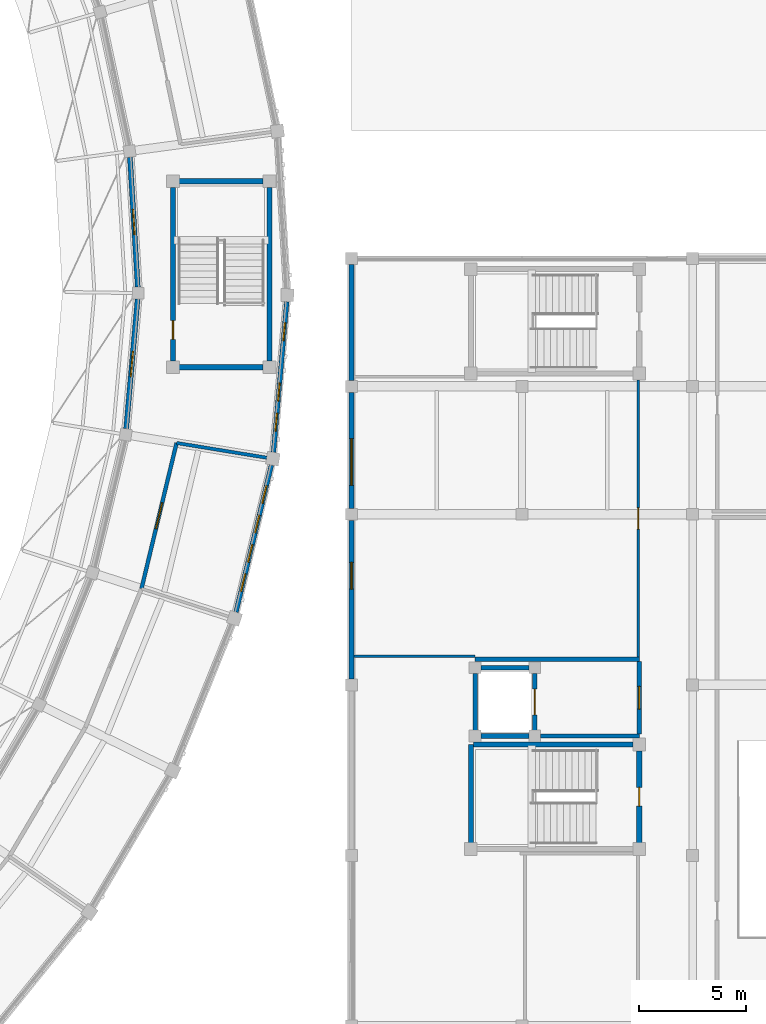
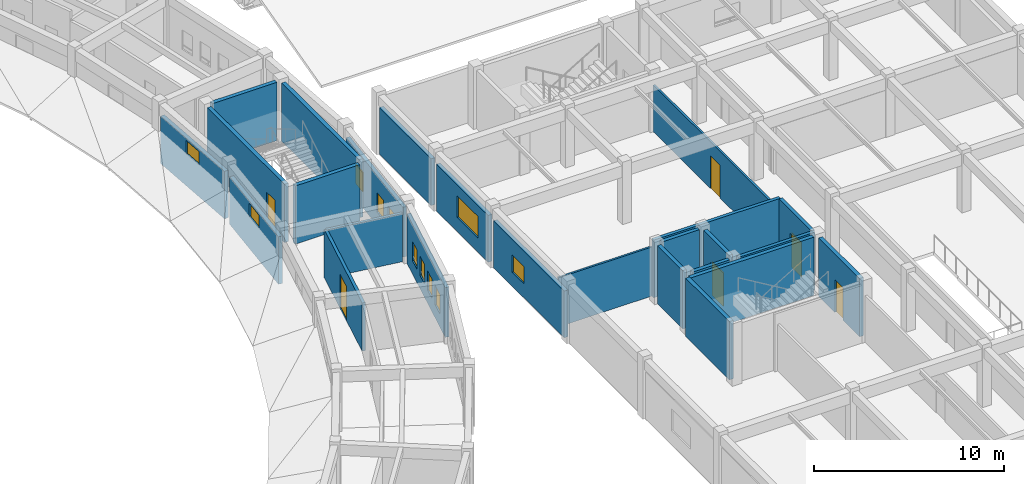
# One storey, part 91 of 112: 25 walls, 11 windows, 6 doors, 17 openings.
"""IFC4 building model written with IfcOpenShell, lengths in metres."""

from ifc_helpers import new_model, si_unit, direction, frame, frame_2d, origin, place, context, subcontext, project, spatial, rectangle, extrude, material, layer, layer_set, type_object, element, fill, save


model = new_model("IFC4")

# Units and contexts
model_context = context("Model", 3, precision=1e-05, world=origin(), true_north=direction((0.0, 1.0)))
body_context = subcontext(model_context, "Body", "Model", "MODEL_VIEW")
ifc_project = project(units=[si_unit("LENGTHUNIT", "METRE"), si_unit("AREAUNIT", "SQUARE_METRE"), si_unit("VOLUMEUNIT", "CUBIC_METRE"), si_unit("PLANEANGLEUNIT", "RADIAN"), si_unit("MASSUNIT", "GRAM", prefix="KILO")], contexts=[model_context])

# Site, building, storey
site_placement = place(None, origin())
site = spatial("IfcSite", under=ifc_project, at=site_placement, CompositionType="ELEMENT")
building_placement = place(site_placement, origin())
building = spatial("IfcBuilding", under=site, at=building_placement, Name="Celadon Cloister-Ring School", CompositionType="ELEMENT")
storey_placement = place(building_placement, frame((0.0, 0.0, 8.5)))
storey = spatial("IfcBuildingStorey", under=building, at=storey_placement, Name="L02", CompositionType="ELEMENT", Elevation=8.5)

# Wall, opening, window
ifc_material_1 = material(Name="Rendered concrete blockwork", Category="masonry")
ifc_layer_1 = layer(ifc_material_1, 0.239990234375)
ifc_layer_set_1 = layer_set([ifc_layer_1], Name="Rendered concrete blockwork")
wall_type_1 = type_object("IfcWallType", Name="WT-EX3", PredefinedType="SOLIDWALL", material=ifc_layer_set_1)
wall_1_placement = place(storey_placement, frame((131.43505859375, 52.02294921875, 0.0), z_axis=(0.0, 0.0, 1.0), x_axis=(0.087955791154, 0.996124379183, 0.0)))
wall_1 = element("IfcWall", 1, at=wall_1_placement, inside=storey, type_object=wall_type_1, Name="Exterior Wall 0157", PredefinedType="SOLIDWALL", context=body_context, shape_type="SweptSolid", body=[
    extrude(rectangle(XDim=6.0927734375, YDim=0.239990234375, at=frame_2d((3.04638671875, 0.0))), origin(), (0.0, 0.0, 1.0), 3.050048828125),
])
opening_1_placement = place(wall_1_placement, frame((2.446044921875, 0.0, 2.050048828125)))
opening_1 = element("IfcOpeningElement", 2, at=opening_1_placement, cuts=wall_1, Name="Opening WN-49", PredefinedType="OPENING", context=body_context, shape_type="SweptSolid", body=[
    extrude(rectangle(XDim=1.199951171875, YDim=0.85009765625, at=frame_2d((0.60009765625, 0.425048828125))), frame((0.0, 0.1298828125, 0.0), z_axis=(0.0, -1.0, 0.0), x_axis=(1.0, 0.0, 0.0)), (0.0, 0.0, 1.0), 0.260009765625),
])
ifc_material_2 = material(Name="Tempered laminated insulating glass", Category="glass")
window_type_1 = type_object("IfcWindowType", Name="WN-49", PartitioningType="SINGLE_PANEL", PredefinedType="WINDOW", material=ifc_material_2)
window_1_placement = place(opening_1_placement, origin())
window_1 = element("IfcWindow", 3, at=window_1_placement, inside=storey, type_object=window_type_1, Name="Window 0407", OverallHeight=0.85009765625, OverallWidth=1.199951171875, PartitioningType="SINGLE_PANEL", PredefinedType="WINDOW", context=body_context, shape_type="SweptSolid", body=[
    extrude(rectangle(XDim=1.199951171875, YDim=0.85009765625, at=frame_2d((0.60009765625, 0.425048828125))), frame((0.0, 0.030029296875, 0.0), z_axis=(0.0, -1.0, 0.0), x_axis=(1.0, 0.0, 0.0)), (0.0, 0.0, 1.0), 0.06005859375),
])
fill(opening_1, window_1)

wall_2_placement = place(storey_placement, frame((131.97900390625, 58.6640625, 0.0), z_axis=(0.0, 0.0, 1.0), x_axis=(-0.060382554207, 0.998175308825, 0.0)))
wall_2 = element("IfcWall", 4, at=wall_2_placement, inside=storey, type_object=wall_type_1, Name="Exterior Wall 0159", PredefinedType="SOLIDWALL", context=body_context, shape_type="SweptSolid", body=[
    extrude(rectangle(XDim=6.09326171875, YDim=0.239990234375, at=frame_2d((3.046630859375, 0.0))), origin(), (0.0, 0.0, 1.0), 3.050048828125),
])
opening_2_placement = place(wall_2_placement, frame((2.447021484375, 0.0, 2.050048828125)))
opening_2 = element("IfcOpeningElement", 5, at=opening_2_placement, cuts=wall_2, Name="Opening WN-49", PredefinedType="OPENING", context=body_context, shape_type="SweptSolid", body=[
    extrude(rectangle(XDim=1.199951171875, YDim=0.85009765625, at=frame_2d((0.60009765625, 0.425048828125))), frame((0.0, 0.1298828125, 0.0), z_axis=(0.0, -1.0, 0.0), x_axis=(1.0, 0.0, 0.0)), (0.0, 0.0, 1.0), 0.260009765625),
])
window_2_placement = place(opening_2_placement, origin())
window_2 = element("IfcWindow", 6, at=window_2_placement, inside=storey, type_object=window_type_1, Name="Window 0411", OverallHeight=0.85009765625, OverallWidth=1.199951171875, PartitioningType="SINGLE_PANEL", PredefinedType="WINDOW", context=body_context, shape_type="SweptSolid", body=[
    extrude(rectangle(XDim=1.199951171875, YDim=0.85009765625, at=frame_2d((0.60009765625, 0.425048828125))), frame((0.0, 0.030029296875, 0.0), z_axis=(0.0, -1.0, 0.0), x_axis=(1.0, 0.0, 0.0)), (0.0, 0.0, 1.0), 0.06005859375),
])
fill(opening_2, window_2)

wall_3_placement = place(storey_placement, frame((142.0, 40.277099609375, 0.0), z_axis=(0.0, 0.0, 1.0), x_axis=(0.0, 1.0, 0.0)))
wall_3 = element("IfcWall", 7, at=wall_3_placement, inside=storey, type_object=wall_type_1, Name="Exterior Wall 0454", PredefinedType="SOLIDWALL", context=body_context, shape_type="SweptSolid", body=[
    extrude(rectangle(XDim=7.44580078125, YDim=0.239990234375, at=frame_2d((3.722900390625, 0.0))), origin(), (0.0, 0.0, 1.0), 3.001953125),
])
opening_3_placement = place(wall_3_placement, frame((4.215087890625, 0.0, 0.89990234375)))
opening_3 = element("IfcOpeningElement", 8, at=opening_3_placement, cuts=wall_3, Name="Opening WN-04", PredefinedType="OPENING", context=body_context, shape_type="SweptSolid", body=[
    extrude(rectangle(XDim=1.25, YDim=1.10009765625, at=frame_2d((0.625, 0.550048828125))), frame((0.0, 0.1298828125, 0.0), z_axis=(0.0, -1.0, 0.0), x_axis=(1.0, 0.0, 0.0)), (0.0, 0.0, 1.0), 0.260009765625),
])
ifc_material_3 = material(Name="Tempered laminated insulating glass", Category="glass")
window_type_2 = type_object("IfcWindowType", Name="WN-04", PartitioningType="SINGLE_PANEL", PredefinedType="WINDOW", material=ifc_material_3)
window_3_placement = place(opening_3_placement, origin())
window_3 = element("IfcWindow", 9, at=window_3_placement, inside=storey, type_object=window_type_2, Name="Window 0981", OverallHeight=1.10009765625, OverallWidth=1.25, PartitioningType="SINGLE_PANEL", PredefinedType="WINDOW", context=body_context, shape_type="SweptSolid", body=[
    extrude(rectangle(XDim=1.25, YDim=1.10009765625, at=frame_2d((0.625, 0.550048828125))), frame((0.0, 0.030029296875, 0.0), z_axis=(0.0, -1.0, 0.0), x_axis=(1.0, 0.0, 0.0)), (0.0, 0.0, 1.0), 0.06005859375),
])
fill(opening_3, window_3)

wall_4_placement = place(storey_placement, frame((142.0, 48.277099609375, 0.0), z_axis=(0.0, 0.0, 1.0), x_axis=(0.0, 1.0, 0.0)))
wall_4 = element("IfcWall", 10, at=wall_4_placement, inside=storey, type_object=wall_type_1, Name="Exterior Wall 0455", PredefinedType="SOLIDWALL", context=body_context, shape_type="SweptSolid", body=[
    extrude(rectangle(XDim=5.44580078125, YDim=0.239990234375, at=frame_2d((2.722900390625, 0.0))), origin(), (0.0, 0.0, 1.0), 3.001953125),
])
opening_4_placement = place(wall_4_placement, frame((1.077880859375, 0.0, 0.89990234375)))
opening_4 = element("IfcOpeningElement", 11, at=opening_4_placement, cuts=wall_4, Name="Opening WN-29", PredefinedType="OPENING", context=body_context, shape_type="SweptSolid", body=[
    extrude(rectangle(XDim=2.199951171875, YDim=1.39990234375, at=frame_2d((1.10009765625, 0.699951171875))), frame((0.0, 0.1298828125, 0.0), z_axis=(0.0, -1.0, 0.0), x_axis=(1.0, 0.0, 0.0)), (0.0, 0.0, 1.0), 0.260009765625),
])
ifc_material_4 = material(Name="Tempered laminated insulating glass", Category="glass")
window_type_3 = type_object("IfcWindowType", Name="WN-29", PartitioningType="DOUBLE_PANEL_VERTICAL", PredefinedType="WINDOW", material=ifc_material_4)
window_4_placement = place(opening_4_placement, origin())
window_4 = element("IfcWindow", 12, at=window_4_placement, inside=storey, type_object=window_type_3, Name="Window 0982", OverallHeight=1.39990234375, OverallWidth=2.199951171875, PartitioningType="SINGLE_PANEL", PredefinedType="WINDOW", context=body_context, shape_type="SweptSolid", body=[
    extrude(rectangle(XDim=2.199951171875, YDim=1.39990234375, at=frame_2d((1.10009765625, 0.699951171875))), frame((0.0, 0.030029296875, 0.0), z_axis=(0.0, -1.0, 0.0), x_axis=(1.0, 0.0, 0.0)), (0.0, 0.0, 1.0), 0.06005859375),
])
fill(opening_4, window_4)

# Wall
wall_5_placement = place(storey_placement, frame((142.0, 54.277099609375, 0.0), z_axis=(0.0, 0.0, 1.0), x_axis=(0.0, 1.0, 0.0)))
element("IfcWall", 13, at=wall_5_placement, inside=storey, type_object=wall_type_1, Name="Exterior Wall 0456", PredefinedType="SOLIDWALL", context=body_context, shape_type="SweptSolid", body=[
    extrude(rectangle(XDim=5.44580078125, YDim=0.239990234375, at=frame_2d((2.722900390625, 0.0))), origin(), (0.0, 0.0, 1.0), 3.001953125),
])

# Wall, openings, windows
ifc_material_5 = material(Name="Perforated terracotta clay brick masonry", Category="masonry")
ifc_layer_2 = layer(ifc_material_5, 0.219970703125)
ifc_layer_set_2 = layer_set([ifc_layer_2], Name="Perforated terracotta clay brick masonry")
wall_type_2 = type_object("IfcWallType", Name="WT-EX4", PredefinedType="SOLIDWALL", material=ifc_layer_set_2)
wall_6_placement = place(storey_placement, frame((138.2451171875, 50.304931640625, 0.0), z_axis=(0.0, 0.0, 1.0), x_axis=(-0.234017027709, -0.972232498296, 0.0)))
wall_6 = element("IfcWall", 14, at=wall_6_placement, inside=storey, type_object=wall_type_2, Name="Exterior Wall 0154", PredefinedType="SOLIDWALL", context=body_context, shape_type="SweptSolid", body=[
    extrude(rectangle(XDim=7.08154296875, YDim=0.219970703125, at=frame_2d((3.540771484375, 0.0))), origin(), (0.0, 0.0, 1.0), 3.19189453125),
])
opening_5_placement = place(wall_6_placement, frame((0.990966796875, 0.0, 0.85009765625)))
opening_5 = element("IfcOpeningElement", 15, at=opening_5_placement, cuts=wall_6, Name="Opening WN-11", PredefinedType="OPENING", context=body_context, shape_type="SweptSolid", body=[
    extrude(rectangle(XDim=0.85009765625, YDim=1.25, at=frame_2d((0.425048828125, 0.625))), frame((0.0, 0.1201171875, 0.0), z_axis=(0.0, -1.0, 0.0), x_axis=(1.0, 0.0, 0.0)), (0.0, 0.0, 1.0), 0.239990234375),
])
opening_6_placement = place(wall_6_placement, frame((2.407958984375, 0.0, 0.85009765625)))
opening_6 = element("IfcOpeningElement", 16, at=opening_6_placement, cuts=wall_6, Name="Opening WN-11", PredefinedType="OPENING", context=body_context, shape_type="SweptSolid", body=[
    extrude(rectangle(XDim=0.85009765625, YDim=1.25, at=frame_2d((0.425048828125, 0.625))), frame((0.0, 0.1201171875, 0.0), z_axis=(0.0, -1.0, 0.0), x_axis=(1.0, 0.0, 0.0)), (0.0, 0.0, 1.0), 0.239990234375),
])
opening_7_placement = place(wall_6_placement, frame((3.823974609375, 0.0, 0.85009765625)))
opening_7 = element("IfcOpeningElement", 17, at=opening_7_placement, cuts=wall_6, Name="Opening WN-11", PredefinedType="OPENING", context=body_context, shape_type="SweptSolid", body=[
    extrude(rectangle(XDim=0.85009765625, YDim=1.25, at=frame_2d((0.425048828125, 0.625))), frame((0.0, 0.1201171875, 0.0), z_axis=(0.0, -1.0, 0.0), x_axis=(1.0, 0.0, 0.0)), (0.0, 0.0, 1.0), 0.239990234375),
])
opening_8_placement = place(wall_6_placement, frame((5.239990234375, 0.0, 0.85009765625)))
opening_8 = element("IfcOpeningElement", 18, at=opening_8_placement, cuts=wall_6, Name="Opening WN-11", PredefinedType="OPENING", context=body_context, shape_type="SweptSolid", body=[
    extrude(rectangle(XDim=0.85009765625, YDim=1.25, at=frame_2d((0.425048828125, 0.625))), frame((0.0, 0.1201171875, 0.0), z_axis=(0.0, -1.0, 0.0), x_axis=(1.0, 0.0, 0.0)), (0.0, 0.0, 1.0), 0.239990234375),
])
ifc_material_6 = material(Name="Tempered laminated insulating glass", Category="glass")
window_type_4 = type_object("IfcWindowType", Name="WN-11", PartitioningType="SINGLE_PANEL", PredefinedType="WINDOW", material=ifc_material_6)
window_5_placement = place(opening_5_placement, origin())
window_5 = element("IfcWindow", 19, at=window_5_placement, inside=storey, type_object=window_type_4, Name="Window 0399", OverallHeight=1.25, OverallWidth=0.85009765625, PartitioningType="SINGLE_PANEL", PredefinedType="WINDOW", context=body_context, shape_type="SweptSolid", body=[
    extrude(rectangle(XDim=0.85009765625, YDim=1.25, at=frame_2d((0.425048828125, 0.625))), frame((0.0, 0.030029296875, 0.0), z_axis=(0.0, -1.0, 0.0), x_axis=(1.0, 0.0, 0.0)), (0.0, 0.0, 1.0), 0.06005859375),
])
fill(opening_5, window_5)
window_6_placement = place(opening_6_placement, origin())
window_6 = element("IfcWindow", 20, at=window_6_placement, inside=storey, type_object=window_type_4, Name="Window 0400", OverallHeight=1.25, OverallWidth=0.85009765625, PartitioningType="SINGLE_PANEL", PredefinedType="WINDOW", context=body_context, shape_type="SweptSolid", body=[
    extrude(rectangle(XDim=0.85009765625, YDim=1.25, at=frame_2d((0.425048828125, 0.625))), frame((0.0, 0.030029296875, 0.0), z_axis=(0.0, -1.0, 0.0), x_axis=(1.0, 0.0, 0.0)), (0.0, 0.0, 1.0), 0.06005859375),
])
fill(opening_6, window_6)
window_7_placement = place(opening_7_placement, origin())
window_7 = element("IfcWindow", 21, at=window_7_placement, inside=storey, type_object=window_type_4, Name="Window 0401", OverallHeight=1.25, OverallWidth=0.85009765625, PartitioningType="SINGLE_PANEL", PredefinedType="WINDOW", context=body_context, shape_type="SweptSolid", body=[
    extrude(rectangle(XDim=0.85009765625, YDim=1.25, at=frame_2d((0.425048828125, 0.625))), frame((0.0, 0.030029296875, 0.0), z_axis=(0.0, -1.0, 0.0), x_axis=(1.0, 0.0, 0.0)), (0.0, 0.0, 1.0), 0.06005859375),
])
fill(opening_7, window_7)
window_8_placement = place(opening_8_placement, origin())
window_8 = element("IfcWindow", 22, at=window_8_placement, inside=storey, type_object=window_type_4, Name="Window 0402", OverallHeight=1.25, OverallWidth=0.85009765625, PartitioningType="SINGLE_PANEL", PredefinedType="WINDOW", context=body_context, shape_type="SweptSolid", body=[
    extrude(rectangle(XDim=0.85009765625, YDim=1.25, at=frame_2d((0.425048828125, 0.625))), frame((0.0, 0.030029296875, 0.0), z_axis=(0.0, -1.0, 0.0), x_axis=(1.0, 0.0, 0.0)), (0.0, 0.0, 1.0), 0.06005859375),
])
fill(opening_8, window_8)

wall_7_placement = place(storey_placement, frame((138.968017578125, 57.970947265625, 0.0), z_axis=(0.0, 0.0, 1.0), x_axis=(-0.08798335938, -0.996121944579, 0.0)))
wall_7 = element("IfcWall", 23, at=wall_7_placement, inside=storey, type_object=wall_type_2, Name="Exterior Wall 0156", PredefinedType="SOLIDWALL", context=body_context, shape_type="SweptSolid", body=[
    extrude(rectangle(XDim=7.081298828125, YDim=0.219970703125, at=frame_2d((3.54052734375, 0.0))), origin(), (0.0, 0.0, 1.0), 3.19189453125),
])
opening_9_placement = place(wall_7_placement, frame((0.990966796875, 0.0, 0.85009765625)))
opening_9 = element("IfcOpeningElement", 24, at=opening_9_placement, cuts=wall_7, Name="Opening WN-11", PredefinedType="OPENING", context=body_context, shape_type="SweptSolid", body=[
    extrude(rectangle(XDim=0.85009765625, YDim=1.25, at=frame_2d((0.425048828125, 0.625))), frame((0.0, 0.1201171875, 0.0), z_axis=(0.0, -1.0, 0.0), x_axis=(1.0, 0.0, 0.0)), (0.0, 0.0, 1.0), 0.239990234375),
])
opening_10_placement = place(wall_7_placement, frame((3.823974609375, 0.0, 0.85009765625)))
opening_10 = element("IfcOpeningElement", 25, at=opening_10_placement, cuts=wall_7, Name="Opening WN-11", PredefinedType="OPENING", context=body_context, shape_type="SweptSolid", body=[
    extrude(rectangle(XDim=0.85009765625, YDim=1.25, at=frame_2d((0.425048828125, 0.625))), frame((0.0, 0.1201171875, 0.0), z_axis=(0.0, -1.0, 0.0), x_axis=(1.0, 0.0, 0.0)), (0.0, 0.0, 1.0), 0.239990234375),
])
opening_11_placement = place(wall_7_placement, frame((5.239990234375, 0.0, 0.85009765625)))
opening_11 = element("IfcOpeningElement", 26, at=opening_11_placement, cuts=wall_7, Name="Opening WN-11", PredefinedType="OPENING", context=body_context, shape_type="SweptSolid", body=[
    extrude(rectangle(XDim=0.85009765625, YDim=1.25, at=frame_2d((0.425048828125, 0.625))), frame((0.0, 0.1201171875, 0.0), z_axis=(0.0, -1.0, 0.0), x_axis=(1.0, 0.0, 0.0)), (0.0, 0.0, 1.0), 0.239990234375),
])
window_9_placement = place(opening_9_placement, origin())
window_9 = element("IfcWindow", 27, at=window_9_placement, inside=storey, type_object=window_type_4, Name="Window 0404", OverallHeight=1.25, OverallWidth=0.85009765625, PartitioningType="SINGLE_PANEL", PredefinedType="WINDOW", context=body_context, shape_type="SweptSolid", body=[
    extrude(rectangle(XDim=0.85009765625, YDim=1.25, at=frame_2d((0.425048828125, 0.625))), frame((0.0, 0.030029296875, 0.0), z_axis=(0.0, -1.0, 0.0), x_axis=(1.0, 0.0, 0.0)), (0.0, 0.0, 1.0), 0.06005859375),
])
fill(opening_9, window_9)
window_10_placement = place(opening_10_placement, origin())
window_10 = element("IfcWindow", 28, at=window_10_placement, inside=storey, type_object=window_type_4, Name="Window 0405", OverallHeight=1.25, OverallWidth=0.85009765625, PartitioningType="SINGLE_PANEL", PredefinedType="WINDOW", context=body_context, shape_type="SweptSolid", body=[
    extrude(rectangle(XDim=0.85009765625, YDim=1.25, at=frame_2d((0.425048828125, 0.625))), frame((0.0, 0.030029296875, 0.0), z_axis=(0.0, -1.0, 0.0), x_axis=(1.0, 0.0, 0.0)), (0.0, 0.0, 1.0), 0.06005859375),
])
fill(opening_10, window_10)
window_11_placement = place(opening_11_placement, origin())
window_11 = element("IfcWindow", 29, at=window_11_placement, inside=storey, type_object=window_type_4, Name="Window 0406", OverallHeight=1.25, OverallWidth=0.85009765625, PartitioningType="SINGLE_PANEL", PredefinedType="WINDOW", context=body_context, shape_type="SweptSolid", body=[
    extrude(rectangle(XDim=0.85009765625, YDim=1.25, at=frame_2d((0.425048828125, 0.625))), frame((0.0, 0.030029296875, 0.0), z_axis=(0.0, -1.0, 0.0), x_axis=(1.0, 0.0, 0.0)), (0.0, 0.0, 1.0), 0.06005859375),
])
fill(opening_11, window_11)

# Walls
ifc_material_7 = material(Name="Plastered hollow concrete masonry", Category="masonry")
ifc_layer_3 = layer(ifc_material_7, 0.199951171875)
ifc_layer_set_3 = layer_set([ifc_layer_3], Name="Plastered hollow concrete masonry")
wall_type_3 = type_object("IfcWallType", Name="WT-PT1", PredefinedType="PARTITIONING", material=ifc_layer_set_3)
wall_8_placement = place(storey_placement, frame((150.866943359375, 37.60009765625, 0.0), z_axis=(0.0, 0.0, 1.0), x_axis=(1.0, 0.0, 0.0)))
element("IfcWall", 30, at=wall_8_placement, inside=storey, type_object=wall_type_3, Name="Interior Wall 0417", PredefinedType="PARTITIONING", context=body_context, shape_type="SweptSolid", body=[
    extrude(rectangle(XDim=4.633056640625, YDim=0.199951171875, at=frame_2d((2.31640625, 0.0))), origin(), (0.0, 0.0, 1.0), 3.699951171875),
])
wall_9_placement = place(storey_placement, frame((147.800048828125, 41.199951171875, 0.0), z_axis=(0.0, 0.0, 1.0), x_axis=(1.0, 0.0, 0.0)))
element("IfcWall", 31, at=wall_9_placement, inside=storey, type_object=wall_type_3, Name="Interior Wall 0418", PredefinedType="PARTITIONING", context=body_context, shape_type="SweptSolid", body=[
    extrude(rectangle(XDim=7.699951171875, YDim=0.199951171875, at=frame_2d((3.85009765625, 0.0))), origin(), (0.0, 0.0, 1.0), 3.699951171875),
])

# Wall, opening, door
wall_10_placement = place(storey_placement, frame((155.5, 37.702880859375, 0.0), z_axis=(0.0, 0.0, 1.0), x_axis=(0.0, 1.0, 0.0)))
wall_10 = element("IfcWall", 32, at=wall_10_placement, inside=storey, type_object=wall_type_3, Name="Interior Wall 0419", PredefinedType="PARTITIONING", context=body_context, shape_type="SweptSolid", body=[
    extrude(rectangle(XDim=3.39404296875, YDim=0.199951171875, at=frame_2d((1.697021484375, 0.0))), origin(), (0.0, 0.0, 1.0), 3.699951171875),
])
opening_12_placement = place(wall_10_placement, frame((1.1669921875, 0.0, 0.0)))
opening_12 = element("IfcOpeningElement", 33, at=opening_12_placement, cuts=wall_10, Name="Opening D-0111", PredefinedType="OPENING", context=body_context, shape_type="SweptSolid", body=[
    extrude(rectangle(XDim=1.06005859375, YDim=2.199951171875, at=frame_2d((0.530029296875, 1.10009765625))), frame((0.0, 0.10986328125, 0.0), z_axis=(0.0, -1.0, 0.0), x_axis=(1.0, 0.0, 0.0)), (0.0, 0.0, 1.0), 0.219970703125),
])
ifc_material_8 = material(Name="Solid-core fire-rated hardwood leaf", Category="wood")
door_type_1 = type_object("IfcDoorType", Name="DT-08", OperationType="NOTDEFINED", PredefinedType="DOOR", material=ifc_material_8)
door_1_placement = place(opening_12_placement, origin())
door_1 = element("IfcDoor", 34, at=door_1_placement, inside=storey, type_object=door_type_1, Name="Door D-0111", OperationType="SINGLE_SWING_LEFT", OverallHeight=2.199951171875, OverallWidth=1.06005859375, PredefinedType="DOOR", context=body_context, shape_type="SweptSolid", body=[
    extrude(rectangle(XDim=1.06005859375, YDim=2.199951171875, at=frame_2d((0.530029296875, 1.10009765625))), frame((0.0, 0.02490234375, 0.0), z_axis=(0.0, -1.0, 0.0), x_axis=(1.0, 0.0, 0.0)), (0.0, 0.0, 1.0), 0.050048828125),
])
fill(opening_12, door_1)

ifc_material_9 = material(Name="Plastered hollow concrete masonry", Category="masonry")
ifc_layer_4 = layer(ifc_material_9, 0.179931640625)
ifc_layer_set_4 = layer_set([ifc_layer_4], Name="Plastered hollow concrete masonry")
wall_type_4 = type_object("IfcWallType", Name="WT-PT2", PredefinedType="PARTITIONING", material=ifc_layer_set_4)
wall_11_placement = place(storey_placement, frame((132.154052734375, 44.51708984375, 0.0), z_axis=(0.0, 0.0, 1.0), x_axis=(0.234030113745, 0.972229348385, 0.0)))
wall_11 = element("IfcWall", 35, at=wall_11_placement, inside=storey, type_object=wall_type_4, Name="Interior Wall 0582", PredefinedType="PARTITIONING", context=body_context, shape_type="SweptSolid", body=[
    extrude(rectangle(XDim=7.02490234375, YDim=0.179931640625, at=frame_2d((3.512451171875, 0.0))), origin(), (0.0, 0.0, 1.0), 3.092041015625),
])
opening_13_placement = place(wall_11_placement, frame((2.887939453125, 0.0, 0.0)))
opening_13 = element("IfcOpeningElement", 36, at=opening_13_placement, cuts=wall_11, Name="Opening D-0197", PredefinedType="OPENING", context=body_context, shape_type="SweptSolid", body=[
    extrude(rectangle(XDim=1.25, YDim=2.199951171875, at=frame_2d((0.625, 1.10009765625))), frame((0.0, 0.10009765625, 0.0), z_axis=(0.0, -1.0, 0.0), x_axis=(1.0, 0.0, 0.0)), (0.0, 0.0, 1.0), 0.199951171875),
])
ifc_material_10 = material(Name="Galvanised fire-rated hollow steel leaf", Category="steel")
door_type_2 = type_object("IfcDoorType", Name="DT-10", OperationType="NOTDEFINED", PredefinedType="DOOR", material=ifc_material_10)
door_2_placement = place(opening_13_placement, origin())
door_2 = element("IfcDoor", 37, at=door_2_placement, inside=storey, type_object=door_type_2, Name="Door D-0197", OperationType="SINGLE_SWING_LEFT", OverallHeight=2.199951171875, OverallWidth=1.25, PredefinedType="DOOR", context=body_context, shape_type="SweptSolid", body=[
    extrude(rectangle(XDim=1.25, YDim=2.199951171875, at=frame_2d((0.625, 1.10009765625))), frame((0.0, 0.02490234375, 0.0), z_axis=(0.0, -1.0, 0.0), x_axis=(1.0, 0.0, 0.0)), (0.0, 0.0, 1.0), 0.050048828125),
])
fill(opening_13, door_2)

# Wall
ifc_material_11 = material(Name="Plastered hollow concrete masonry", Category="masonry")
ifc_layer_5 = layer(ifc_material_11, 0.159912109375)
ifc_layer_set_5 = layer_set([ifc_layer_5], Name="Plastered hollow concrete masonry")
wall_type_5 = type_object("IfcWallType", Name="WT-PT3", PredefinedType="PARTITIONING", material=ifc_layer_set_5)
wall_12_placement = place(storey_placement, frame((133.798095703125, 51.346923828125, 0.0), z_axis=(0.0, 0.0, 1.0), x_axis=(0.986860722003, -0.161573250781, 0.0)))
element("IfcWall", 38, at=wall_12_placement, inside=storey, type_object=wall_type_5, Name="Interior Wall 0551", PredefinedType="PARTITIONING", context=body_context, shape_type="SweptSolid", body=[
    extrude(rectangle(XDim=4.288330078125, YDim=0.159912109375, at=frame_2d((2.14404296875, 0.0))), origin(), (0.0, 0.0, 1.0), 3.092041015625),
])

# Wall, opening, door
ifc_material_12 = material(Name="Acoustic mineral-wool drywall partition")
ifc_layer_6 = layer(ifc_material_12, 0.1201171875)
ifc_layer_set_6 = layer_set([ifc_layer_6], Name="Acoustic mineral-wool drywall partition")
wall_type_6 = type_object("IfcWallType", Name="WT-PT5", PredefinedType="PARTITIONING", material=ifc_layer_set_6)
wall_13_placement = place(storey_placement, frame((155.449951171875, 54.30810546875, 0.0), z_axis=(0.0, 0.0, 1.0), x_axis=(0.0, -1.0, 0.0)))
wall_13 = element("IfcWall", 39, at=wall_13_placement, inside=storey, type_object=wall_type_6, Name="Interior Wall 1027", PredefinedType="PARTITIONING", context=body_context, shape_type="SweptSolid", body=[
    extrude(rectangle(XDim=13.005126953125, YDim=0.1201171875, at=frame_2d((6.50244140625, 0.0))), origin(), (0.0, 0.0, 1.0), 3.001953125),
])
opening_14_placement = place(wall_13_placement, frame((6.0029296875, 0.0, 0.0)))
opening_14 = element("IfcOpeningElement", 40, at=opening_14_placement, cuts=wall_13, Name="Opening D-0368", PredefinedType="OPENING", context=body_context, shape_type="SweptSolid", body=[
    extrude(rectangle(XDim=1.0, YDim=2.10009765625, at=frame_2d((0.5, 1.050048828125))), frame((0.0, 0.070068359375, 0.0), z_axis=(0.0, -1.0, 0.0), x_axis=(1.0, 0.0, 0.0)), (0.0, 0.0, 1.0), 0.14013671875),
])
ifc_material_13 = material(Name="Solid-core fire-rated hardwood leaf", Category="wood")
door_type_3 = type_object("IfcDoorType", Name="DT-04", OperationType="NOTDEFINED", PredefinedType="DOOR", material=ifc_material_13)
door_3_placement = place(opening_14_placement, origin())
door_3 = element("IfcDoor", 41, at=door_3_placement, inside=storey, type_object=door_type_3, Name="Door D-0368", OperationType="SINGLE_SWING_RIGHT", OverallHeight=2.10009765625, OverallWidth=1.0, PredefinedType="DOOR", context=body_context, shape_type="SweptSolid", body=[
    extrude(rectangle(XDim=1.0, YDim=2.10009765625, at=frame_2d((0.5, 1.050048828125))), frame((0.0, 0.02490234375, 0.0), z_axis=(0.0, -1.0, 0.0), x_axis=(1.0, 0.0, 0.0)), (0.0, 0.0, 1.0), 0.050048828125),
])
fill(opening_14, door_3)

# Walls
wall_14_placement = place(storey_placement, frame((147.800048828125, 41.35009765625, 0.0), z_axis=(0.0, 0.0, 1.0), x_axis=(-1.0, 0.0, 0.0)))
element("IfcWall", 42, at=wall_14_placement, inside=storey, type_object=wall_type_6, Name="Interior Wall 1028", PredefinedType="PARTITIONING", context=body_context, shape_type="SweptSolid", body=[
    extrude(rectangle(XDim=5.677001953125, YDim=0.1201171875, at=frame_2d((2.83837890625, 0.0))), origin(), (0.0, 0.0, 1.0), 3.152099609375),
])
ifc_material_14 = material(Name="Concrete C40/50", Category="concrete")
ifc_layer_7 = layer(ifc_material_14, 0.239990234375)
ifc_layer_set_7 = layer_set([ifc_layer_7], Name="Concrete C40/50")
wall_type_7 = type_object("IfcWallType", Name="WT-SH1", PredefinedType="SHEAR", material=ifc_layer_set_7)
wall_15_placement = place(storey_placement, frame((147.60009765625, 32.592041015625, 0.0), z_axis=(0.0, 0.0, 1.0), x_axis=(0.0, 1.0, 0.0)))
element("IfcWall", 43, at=wall_15_placement, inside=storey, type_object=wall_type_7, Name="Interior Wall 0137", PredefinedType="SHEAR", context=body_context, shape_type="SweptSolid", body=[
    extrude(rectangle(XDim=4.60791015625, YDim=0.239990234375, at=frame_2d((2.303955078125, 0.0))), origin(), (0.0, 0.0, 1.0), 3.739990234375),
])

# Wall, opening, door
wall_16_placement = place(storey_placement, frame((155.5, 36.907958984375, 0.0), z_axis=(0.0, 0.0, 1.0), x_axis=(0.0, -1.0, 0.0)))
wall_16 = element("IfcWall", 44, at=wall_16_placement, inside=storey, type_object=wall_type_7, Name="Interior Wall 0138", PredefinedType="SHEAR", context=body_context, shape_type="SweptSolid", body=[
    extrude(rectangle(XDim=4.31591796875, YDim=0.239990234375, at=frame_2d((2.157958984375, 0.0))), origin(), (0.0, 0.0, 1.0), 3.739990234375),
])
opening_15_placement = place(wall_16_placement, frame((1.718017578125, 0.0, 0.0)))
opening_15 = element("IfcOpeningElement", 45, at=opening_15_placement, cuts=wall_16, Name="Opening D-0067", PredefinedType="OPENING", context=body_context, shape_type="SweptSolid", body=[
    extrude(rectangle(XDim=0.8798828125, YDim=2.10009765625, at=frame_2d((0.43994140625, 1.050048828125))), frame((0.0, 0.1298828125, 0.0), z_axis=(0.0, -1.0, 0.0), x_axis=(1.0, 0.0, 0.0)), (0.0, 0.0, 1.0), 0.260009765625),
])
ifc_material_15 = material(Name="Solid-core fire-rated hardwood leaf", Category="wood")
door_type_4 = type_object("IfcDoorType", Name="DT-01", OperationType="NOTDEFINED", PredefinedType="DOOR", material=ifc_material_15)
door_4_placement = place(opening_15_placement, origin())
door_4 = element("IfcDoor", 46, at=door_4_placement, inside=storey, type_object=door_type_4, Name="Door D-0067", OperationType="SINGLE_SWING_LEFT", OverallHeight=2.10009765625, OverallWidth=0.8798828125, PredefinedType="DOOR", context=body_context, shape_type="SweptSolid", body=[
    extrude(rectangle(XDim=0.8798828125, YDim=2.10009765625, at=frame_2d((0.43994140625, 1.050048828125))), frame((0.0, 0.02490234375, 0.0), z_axis=(0.0, -1.0, 0.0), x_axis=(1.0, 0.0, 0.0)), (0.0, 0.0, 1.0), 0.050048828125),
])
fill(opening_15, door_4)

# Wall
wall_17_placement = place(storey_placement, frame((155.2080078125, 37.199951171875, 0.0), z_axis=(0.0, 0.0, 1.0), x_axis=(-1.0, 0.0, 0.0)))
element("IfcWall", 47, at=wall_17_placement, inside=storey, type_object=wall_type_7, Name="Interior Wall 0140", PredefinedType="SHEAR", context=body_context, shape_type="SweptSolid", body=[
    extrude(rectangle(XDim=7.485107421875, YDim=0.239990234375, at=frame_2d((3.74267578125, 0.0))), origin(), (0.0, 0.0, 1.0), 3.739990234375),
])

# Wall, opening, door
wall_18_placement = place(storey_placement, frame((133.6298828125, 55.19189453125, 0.0), z_axis=(0.0, 0.0, 1.0), x_axis=(0.0, 1.0, 0.0)))
wall_18 = element("IfcWall", 48, at=wall_18_placement, inside=storey, type_object=wall_type_7, Name="Interior Wall 0201", PredefinedType="SHEAR", context=body_context, shape_type="SweptSolid", body=[
    extrude(rectangle(XDim=8.135986328125, YDim=0.239990234375, at=frame_2d((4.06787109375, 0.0))), origin(), (0.0, 0.0, 1.0), 3.739990234375),
])
opening_16_placement = place(wall_18_placement, frame((1.011962890625, 0.0, 0.0)))
opening_16 = element("IfcOpeningElement", 49, at=opening_16_placement, cuts=wall_18, Name="Opening D-0083", PredefinedType="OPENING", context=body_context, shape_type="SweptSolid", body=[
    extrude(rectangle(XDim=0.8798828125, YDim=2.10009765625, at=frame_2d((0.43994140625, 1.050048828125))), frame((0.0, 0.1298828125, 0.0), z_axis=(0.0, -1.0, 0.0), x_axis=(1.0, 0.0, 0.0)), (0.0, 0.0, 1.0), 0.260009765625),
])
door_5_placement = place(opening_16_placement, origin())
door_5 = element("IfcDoor", 50, at=door_5_placement, inside=storey, type_object=door_type_4, Name="Door D-0083", OperationType="SINGLE_SWING_LEFT", OverallHeight=2.10009765625, OverallWidth=0.8798828125, PredefinedType="DOOR", context=body_context, shape_type="SweptSolid", body=[
    extrude(rectangle(XDim=0.8798828125, YDim=2.10009765625, at=frame_2d((0.43994140625, 1.050048828125))), frame((0.0, 0.02490234375, 0.0), z_axis=(0.0, -1.0, 0.0), x_axis=(1.0, 0.0, 0.0)), (0.0, 0.0, 1.0), 0.050048828125),
])
fill(opening_16, door_5)

# Walls
wall_19_placement = place(storey_placement, frame((138.14990234375, 63.327880859375, 0.0), z_axis=(0.0, 0.0, 1.0), x_axis=(0.0, -1.0, 0.0)))
element("IfcWall", 51, at=wall_19_placement, inside=storey, type_object=wall_type_7, Name="Interior Wall 0202", PredefinedType="SHEAR", context=body_context, shape_type="SweptSolid", body=[
    extrude(rectangle(XDim=8.135986328125, YDim=0.239990234375, at=frame_2d((4.06787109375, 0.0))), origin(), (0.0, 0.0, 1.0), 3.739990234375),
])
for number, where, z_axis, x_axis, name in (
    (52, (137.85791015625, 54.89990234375, 0.0), (0.0, 0.0, 1.0), (-1.0, 0.0, 0.0), "Interior Wall 0203"),
    (53, (137.85791015625, 63.6201171875, 0.0), (0.0, 0.0, 1.0), (-1.0, 0.0, 0.0), "Interior Wall 0204"),
):
    element("IfcWall", number, at=place(storey_placement, frame(where, z_axis=z_axis, x_axis=x_axis)), inside=storey, type_object=wall_type_7, Name=name, PredefinedType="SHEAR", context=body_context, shape_type="SweptSolid", body=[
        extrude(rectangle(XDim=3.935791015625, YDim=0.239990234375, at=frame_2d((1.9677734375, 0.0))), origin(), (0.0, 0.0, 1.0), 3.739990234375),
    ])
ifc_material_16 = material(Name="Concrete C40/50", Category="concrete")
ifc_layer_8 = layer(ifc_material_16, 0.219970703125)
ifc_layer_set_8 = layer_set([ifc_layer_8], Name="Concrete C40/50")
wall_type_8 = type_object("IfcWallType", Name="WT-SH2", PredefinedType="SHEAR", material=ifc_layer_set_8)
wall_20_placement = place(storey_placement, frame((148.06689453125, 37.60009765625, 0.0), z_axis=(0.0, 0.0, 1.0), x_axis=(1.0, 0.0, 0.0)))
element("IfcWall", 54, at=wall_20_placement, inside=storey, type_object=wall_type_8, Name="Interior Wall 0413", PredefinedType="SHEAR", context=body_context, shape_type="SweptSolid", body=[
    extrude(rectangle(XDim=2.26611328125, YDim=0.219970703125, at=frame_2d((1.133056640625, 0.0))), origin(), (0.0, 0.0, 1.0), 3.739990234375),
])

# Wall, opening, door
wall_21_placement = place(storey_placement, frame((150.60009765625, 37.866943359375, 0.0), z_axis=(0.0, 0.0, 1.0), x_axis=(0.0, 1.0, 0.0)))
wall_21 = element("IfcWall", 55, at=wall_21_placement, inside=storey, type_object=wall_type_8, Name="Interior Wall 0414", PredefinedType="SHEAR", context=body_context, shape_type="SweptSolid", body=[
    extrude(rectangle(XDim=2.666015625, YDim=0.219970703125, at=frame_2d((1.3330078125, 0.0))), origin(), (0.0, 0.0, 1.0), 3.739990234375),
])
opening_17_placement = place(wall_21_placement, frame((0.73291015625, 0.0, 0.0)))
opening_17 = element("IfcOpeningElement", 56, at=opening_17_placement, cuts=wall_21, Name="Opening LD-027", PredefinedType="OPENING", context=body_context, shape_type="SweptSolid", body=[
    extrude(rectangle(XDim=1.199951171875, YDim=2.14990234375, at=frame_2d((0.60009765625, 1.074951171875))), frame((0.0, 0.1201171875, 0.0), z_axis=(0.0, -1.0, 0.0), x_axis=(1.0, 0.0, 0.0)), (0.0, 0.0, 1.0), 0.239990234375),
])
ifc_material_17 = material(Name="Galvanised fire-rated hollow steel leaf", Category="steel")
door_type_5 = type_object("IfcDoorType", Name="DT-LD2", OperationType="DOUBLE_DOOR_SLIDING", PredefinedType="DOOR", material=ifc_material_17)
door_6_placement = place(opening_17_placement, origin())
door_6 = element("IfcDoor", 57, at=door_6_placement, inside=storey, type_object=door_type_5, Name="Door LD-027", OperationType="DOUBLE_DOOR_SLIDING", OverallHeight=2.14990234375, OverallWidth=1.199951171875, PredefinedType="DOOR", context=body_context, shape_type="SweptSolid", body=[
    extrude(rectangle(XDim=1.199951171875, YDim=2.14990234375, at=frame_2d((0.60009765625, 1.074951171875))), frame((0.0, 0.02490234375, 0.0), z_axis=(0.0, -1.0, 0.0), x_axis=(1.0, 0.0, 0.0)), (0.0, 0.0, 1.0), 0.050048828125),
])
fill(opening_17, door_6)

# Walls
wall_22_placement = place(storey_placement, frame((150.3330078125, 40.800048828125, 0.0), z_axis=(0.0, 0.0, 1.0), x_axis=(-1.0, 0.0, 0.0)))
element("IfcWall", 58, at=wall_22_placement, inside=storey, type_object=wall_type_8, Name="Interior Wall 0415", PredefinedType="SHEAR", context=body_context, shape_type="SweptSolid", body=[
    extrude(rectangle(XDim=2.26611328125, YDim=0.219970703125, at=frame_2d((1.133056640625, 0.0))), origin(), (0.0, 0.0, 1.0), 3.739990234375),
])
wall_23_placement = place(storey_placement, frame((147.800048828125, 40.532958984375, 0.0), z_axis=(0.0, 0.0, 1.0), x_axis=(0.0, -1.0, 0.0)))
element("IfcWall", 59, at=wall_23_placement, inside=storey, type_object=wall_type_8, Name="Interior Wall 0416", PredefinedType="SHEAR", context=body_context, shape_type="SweptSolid", body=[
    extrude(rectangle(XDim=2.666015625, YDim=0.219970703125, at=frame_2d((1.3330078125, 0.0))), origin(), (0.0, 0.0, 1.0), 3.739990234375),
])

save(model, "model.ifc")
